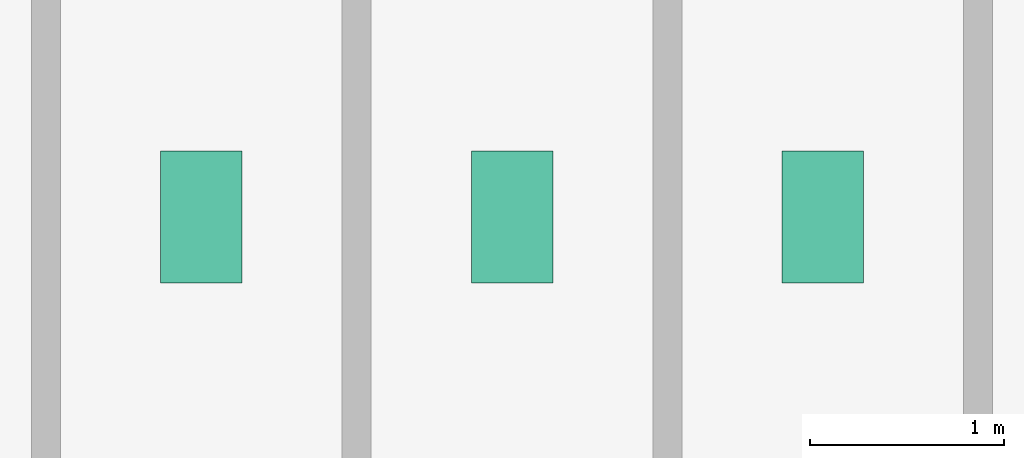
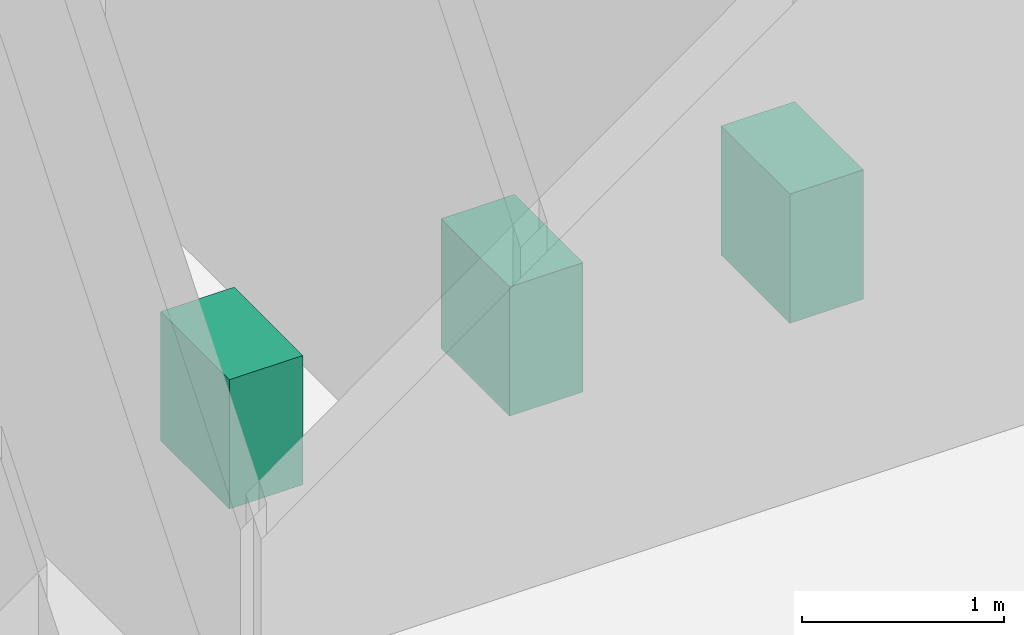
# One storey, part 22 of 22: 3 sanitary terminals.
"""IFC4 building model written with IfcOpenShell, lengths in metres."""

from ifc_helpers import new_model, si_unit, derived_unit, direction, frame, origin, origin_2d, place, context, subcontext, project, spatial, rectangle, extrude, source, transform, mapped, material, type_object, element, save


model = new_model("IFC4")

# Units and contexts
model_context = context("Model", 3, precision=1e-05, world=origin(), true_north=direction((0.0, 1.0)))
body_context = subcontext(model_context, "Body", "Model", "MODEL_VIEW")
ifc_project = project(units=[si_unit("LENGTHUNIT", "METRE"), si_unit("AREAUNIT", "SQUARE_METRE"), si_unit("VOLUMEUNIT", "CUBIC_METRE"), si_unit("PLANEANGLEUNIT", "RADIAN"), si_unit("MASSUNIT", "GRAM", prefix="KILO"), derived_unit("THERMALTRANSMITTANCEUNIT", [(si_unit("POWERUNIT", "WATT"), 1), (si_unit("LENGTHUNIT", "METRE"), -2), (si_unit("THERMODYNAMICTEMPERATUREUNIT", "KELVIN"), -1)])], contexts=[model_context])

# Site, building, storey
site_placement = place(None, origin())
site = spatial("IfcSite", under=ifc_project, at=site_placement, CompositionType="ELEMENT")
building_placement = place(site_placement, origin())
building = spatial("IfcBuilding", under=site, at=building_placement, Name="Skarnbrae Concourse Arena and Tower", CompositionType="ELEMENT")
storey_placement = place(building_placement, frame((0.0, 0.0, 269.75)))
storey = spatial("IfcBuildingStorey", under=building, at=storey_placement, Name="L70", CompositionType="ELEMENT", Elevation=269.75)

# Sanitary terminals
ifc_material = material(Name="Vitreous china sanitaryware", Category="other")
sanitary_terminal_type = type_object("IfcSanitaryTerminalType", Name="SAN-WC-VITREOUS", PredefinedType="TOILETPAN", material=ifc_material)
shared_shape = source(origin(), body_context, "Body", "SweptSolid", [
    extrude(rectangle(XDim=0.419921875, YDim=0.679931640625, at=origin_2d()), origin(), (0.0, 0.0, 1.0), 0.780029296875),
])
for number, where, z_axis, x_axis, name in (
    (1, (35.0, 11.39990234375, 0.0), (0.0, 0.0, 1.0), (1.0, 0.0, 0.0), "L70 Washroom WC fixture 1"),
    (2, (36.60009765625, 11.39990234375, 0.0), (0.0, 0.0, 1.0), (1.0, 0.0, 0.0), "L70 Washroom WC fixture 2"),
    (3, (38.199951171875, 11.39990234375, 0.0), (0.0, 0.0, 1.0), (1.0, 0.0, 0.0), "L70 Washroom WC fixture 3"),
):
    element("IfcSanitaryTerminal", number, at=place(storey_placement, frame(where, z_axis=z_axis, x_axis=x_axis)), inside=storey, type_object=sanitary_terminal_type, Name=name, PredefinedType="TOILETPAN", context=body_context, shape_type="MappedRepresentation", body=[
        mapped(shared_shape, transform((0.0, 0.0, 0.0))),
    ])

save(model, "model.ifc")
